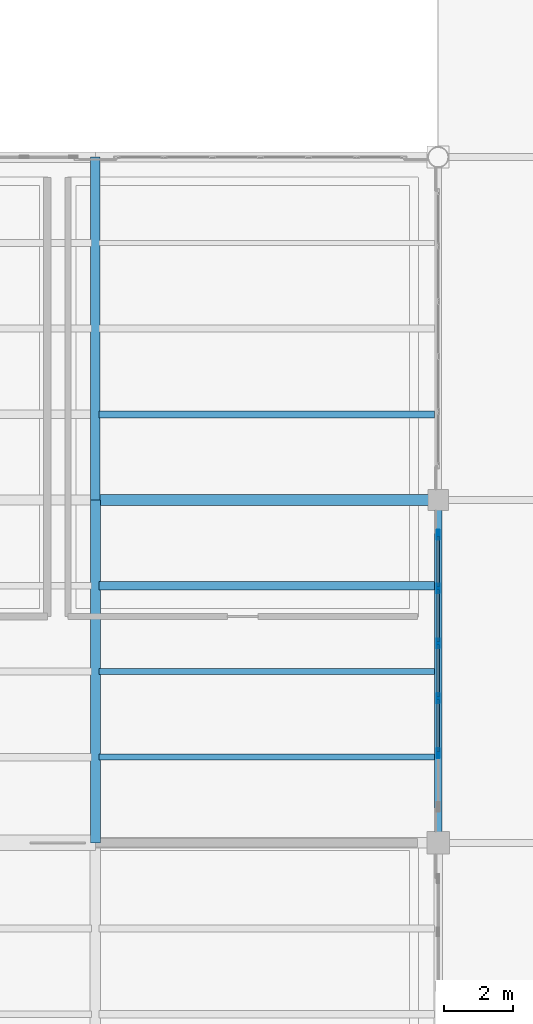
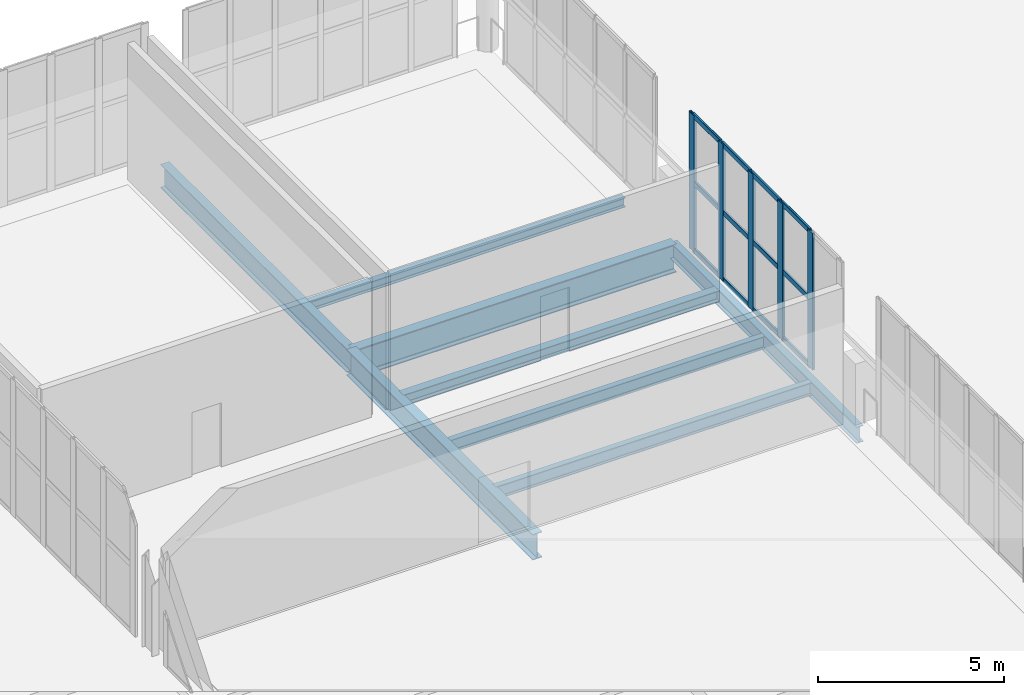
# One storey, part 80 of 136: 17 members, 8 beams, 1 element without a shape of its own.
"""IFC4 building model written with IfcOpenShell, lengths in metres."""

from ifc_helpers import new_model, si_unit, direction, frame, origin, origin_2d, place, context, subcontext, project, spatial, hollow_rectangle, i_section, extrude, material, layer, layer_set, material_profile, profile_set, type_object, element, aggregate, save


model = new_model("IFC4")

# Units and contexts
model_context = context("Model", 3, precision=1e-05, world=origin(), true_north=direction((0.0, 1.0)))
body_context = subcontext(model_context, "Body", "Model", "MODEL_VIEW")
ifc_project = project(units=[si_unit("LENGTHUNIT", "METRE"), si_unit("AREAUNIT", "SQUARE_METRE"), si_unit("VOLUMEUNIT", "CUBIC_METRE"), si_unit("PLANEANGLEUNIT", "RADIAN"), si_unit("MASSUNIT", "GRAM", prefix="KILO")], contexts=[model_context])

# Site, building, storey
site_placement = place(None, origin())
site = spatial("IfcSite", under=ifc_project, at=site_placement, CompositionType="ELEMENT")
building_placement = place(site_placement, origin())
building = spatial("IfcBuilding", under=site, at=building_placement, Name="Brinegate Civic Arena", CompositionType="ELEMENT")
storey_placement = place(building_placement, frame((0.0, 0.0, 5.39990234375)))
storey = spatial("IfcBuildingStorey", under=building, at=storey_placement, Name="L01", CompositionType="ELEMENT", Elevation=5.39990234375)

# Curtain wall, members
ifc_material_1 = material(Name="Marine grade aluminium", Category="aluminium")
ifc_layer = layer(ifc_material_1, 0.18505859375, Name="Marine grade aluminium")
ifc_layer_set = layer_set([ifc_layer], Name="Marine grade aluminium")
curtain_wall_type = type_object("IfcCurtainWallType", Name="CW-WING-GLAZED-03", PredefinedType="USERDEFINED", material=ifc_layer_set)
curtain_wall_placement = place(storey_placement, origin())
curtain_wall = element("IfcCurtainWall", 1, at=curtain_wall_placement, inside=storey, type_object=curtain_wall_type, Name="Curtain Wall CWA-037", ObjectType="GLAZED CURTAIN WALL", PredefinedType="USERDEFINED")
ifc_material_profile_1 = material_profile(ifc_material_1, hollow_rectangle(XDim=0.080078125, YDim=0.280029296875, WallThickness=0.007080078125, InnerFilletRadius=0.0048828125, OuterFilletRadius=0.010009765625, at=origin_2d()), Name="MUL80X280")
ifc_profile_set_1 = profile_set([ifc_material_profile_1], Name="Marine grade aluminium")
member_type_1 = type_object("IfcMemberType", Name="CW-MULLION-80X280", PredefinedType="MULLION", material=ifc_profile_set_1)
member_1_placement = place(storey_placement, frame((190.0, 64.61328125, 0.0), z_axis=(0.0, 0.0, 1.0), x_axis=(-1.0, 0.0, 0.0)))
member_1 = element("IfcMember", 2, at=member_1_placement, type_object=member_type_1, Name="CWA-037 mullion 2", PredefinedType="MULLION", context=body_context, shape_type="SweptSolid", body=[
    extrude(hollow_rectangle(XDim=0.080078125, YDim=0.280029296875, WallThickness=0.007080078125, InnerFilletRadius=0.0048828125, OuterFilletRadius=0.010009765625, at=origin_2d()), origin(), (0.0, 0.0, 1.0), 4.47021484375),
])
member_2_placement = place(storey_placement, frame((190.0, 66.21630859375, 0.0), z_axis=(0.0, 0.0, 1.0), x_axis=(-1.0, 0.0, 0.0)))
member_2 = element("IfcMember", 3, at=member_2_placement, type_object=member_type_1, Name="CWA-037 mullion 3", PredefinedType="MULLION", context=body_context, shape_type="SweptSolid", body=[
    extrude(hollow_rectangle(XDim=0.080078125, YDim=0.280029296875, WallThickness=0.007080078125, InnerFilletRadius=0.0048828125, OuterFilletRadius=0.010009765625, at=origin_2d()), origin(), (0.0, 0.0, 1.0), 4.47021484375),
])
member_3_placement = place(storey_placement, frame((190.0, 67.819580078125, 0.0), z_axis=(0.0, 0.0, 1.0), x_axis=(-1.0, 0.0, 0.0)))
member_3 = element("IfcMember", 4, at=member_3_placement, type_object=member_type_1, Name="CWA-037 mullion 4", PredefinedType="MULLION", context=body_context, shape_type="SweptSolid", body=[
    extrude(hollow_rectangle(XDim=0.080078125, YDim=0.280029296875, WallThickness=0.007080078125, InnerFilletRadius=0.0048828125, OuterFilletRadius=0.010009765625, at=origin_2d()), origin(), (0.0, 0.0, 1.0), 4.47021484375),
])
member_4_placement = place(storey_placement, frame((190.0, 69.4228515625, 0.0), z_axis=(0.0, 0.0, 1.0), x_axis=(-1.0, 0.0, 0.0)))
member_4 = element("IfcMember", 5, at=member_4_placement, type_object=member_type_1, Name="CWA-037 mullion 5", PredefinedType="MULLION", context=body_context, shape_type="SweptSolid", body=[
    extrude(hollow_rectangle(XDim=0.080078125, YDim=0.280029296875, WallThickness=0.007080078125, InnerFilletRadius=0.0048828125, OuterFilletRadius=0.010009765625, at=origin_2d()), origin(), (0.0, 0.0, 1.0), 4.47021484375),
])
member_5_placement = place(storey_placement, frame((190.0, 70.986083984375, 0.0), z_axis=(0.0, 0.0, 1.0), x_axis=(-1.0, 0.0, 0.0)))
member_5 = element("IfcMember", 6, at=member_5_placement, type_object=member_type_1, Name="CWA-037 mullion 6", PredefinedType="MULLION", context=body_context, shape_type="SweptSolid", body=[
    extrude(hollow_rectangle(XDim=0.080078125, YDim=0.280029296875, WallThickness=0.007080078125, InnerFilletRadius=0.0048828125, OuterFilletRadius=0.010009765625, at=origin_2d()), origin(), (0.0, 0.0, 1.0), 4.47021484375),
])
ifc_material_profile_2 = material_profile(ifc_material_1, hollow_rectangle(XDim=0.06494140625, YDim=0.1650390625, WallThickness=0.0048828125, InnerFilletRadius=0.00390625, OuterFilletRadius=0.008056640625, at=origin_2d()), Name="TRN65X165")
ifc_profile_set_2 = profile_set([ifc_material_profile_2], Name="Marine grade aluminium")
member_type_2 = type_object("IfcMemberType", Name="CW-TRANSOM-65X165", PredefinedType="USERDEFINED", material=ifc_profile_set_2)
member_6_placement = place(storey_placement, frame((190.0, 64.6533203125, 0.03271484375), z_axis=(0.0, 1.0, 0.0), x_axis=(-1.0, 0.0, 0.0)))
member_6 = element("IfcMember", 7, at=member_6_placement, type_object=member_type_2, Name="CWA-037 transom 2.1", ObjectType="TRANSOM", PredefinedType="USERDEFINED", context=body_context, shape_type="SweptSolid", body=[
    extrude(hollow_rectangle(XDim=0.06494140625, YDim=0.1650390625, WallThickness=0.0048828125, InnerFilletRadius=0.00390625, OuterFilletRadius=0.008056640625, at=origin_2d()), origin(), (0.0, 0.0, 1.0), 1.523193359375),
])
member_7_placement = place(storey_placement, frame((190.0, 64.6533203125, 2.235107421875), z_axis=(0.0, 1.0, 0.0), x_axis=(-1.0, 0.0, 0.0)))
member_7 = element("IfcMember", 8, at=member_7_placement, type_object=member_type_2, Name="CWA-037 transom 2.2", ObjectType="TRANSOM", PredefinedType="USERDEFINED", context=body_context, shape_type="SweptSolid", body=[
    extrude(hollow_rectangle(XDim=0.06494140625, YDim=0.1650390625, WallThickness=0.0048828125, InnerFilletRadius=0.00390625, OuterFilletRadius=0.008056640625, at=origin_2d()), origin(), (0.0, 0.0, 1.0), 1.523193359375),
])
member_8_placement = place(storey_placement, frame((190.0, 64.6533203125, 4.4375), z_axis=(0.0, 1.0, 0.0), x_axis=(-1.0, 0.0, 0.0)))
member_8 = element("IfcMember", 9, at=member_8_placement, type_object=member_type_2, Name="CWA-037 transom 2.3", ObjectType="TRANSOM", PredefinedType="USERDEFINED", context=body_context, shape_type="SweptSolid", body=[
    extrude(hollow_rectangle(XDim=0.06494140625, YDim=0.1650390625, WallThickness=0.0048828125, InnerFilletRadius=0.00390625, OuterFilletRadius=0.008056640625, at=origin_2d()), origin(), (0.0, 0.0, 1.0), 1.523193359375),
])
member_9_placement = place(storey_placement, frame((190.0, 66.25634765625, 0.03271484375), z_axis=(0.0, 1.0, 0.0), x_axis=(-1.0, 0.0, 0.0)))
member_9 = element("IfcMember", 10, at=member_9_placement, type_object=member_type_2, Name="CWA-037 transom 3.1", ObjectType="TRANSOM", PredefinedType="USERDEFINED", context=body_context, shape_type="SweptSolid", body=[
    extrude(hollow_rectangle(XDim=0.06494140625, YDim=0.1650390625, WallThickness=0.0048828125, InnerFilletRadius=0.00390625, OuterFilletRadius=0.008056640625, at=origin_2d()), origin(), (0.0, 0.0, 1.0), 1.523193359375),
])
member_10_placement = place(storey_placement, frame((190.0, 66.25634765625, 2.235107421875), z_axis=(0.0, 1.0, 0.0), x_axis=(-1.0, 0.0, 0.0)))
member_10 = element("IfcMember", 11, at=member_10_placement, type_object=member_type_2, Name="CWA-037 transom 3.2", ObjectType="TRANSOM", PredefinedType="USERDEFINED", context=body_context, shape_type="SweptSolid", body=[
    extrude(hollow_rectangle(XDim=0.06494140625, YDim=0.1650390625, WallThickness=0.0048828125, InnerFilletRadius=0.00390625, OuterFilletRadius=0.008056640625, at=origin_2d()), origin(), (0.0, 0.0, 1.0), 1.523193359375),
])
member_11_placement = place(storey_placement, frame((190.0, 66.25634765625, 4.4375), z_axis=(0.0, 1.0, 0.0), x_axis=(-1.0, 0.0, 0.0)))
member_11 = element("IfcMember", 12, at=member_11_placement, type_object=member_type_2, Name="CWA-037 transom 3.3", ObjectType="TRANSOM", PredefinedType="USERDEFINED", context=body_context, shape_type="SweptSolid", body=[
    extrude(hollow_rectangle(XDim=0.06494140625, YDim=0.1650390625, WallThickness=0.0048828125, InnerFilletRadius=0.00390625, OuterFilletRadius=0.008056640625, at=origin_2d()), origin(), (0.0, 0.0, 1.0), 1.523193359375),
])
member_12_placement = place(storey_placement, frame((190.0, 67.859619140625, 0.03271484375), z_axis=(0.0, 1.0, 0.0), x_axis=(-1.0, 0.0, 0.0)))
member_12 = element("IfcMember", 13, at=member_12_placement, type_object=member_type_2, Name="CWA-037 transom 4.1", ObjectType="TRANSOM", PredefinedType="USERDEFINED", context=body_context, shape_type="SweptSolid", body=[
    extrude(hollow_rectangle(XDim=0.06494140625, YDim=0.1650390625, WallThickness=0.0048828125, InnerFilletRadius=0.00390625, OuterFilletRadius=0.008056640625, at=origin_2d()), origin(), (0.0, 0.0, 1.0), 1.523193359375),
])
member_13_placement = place(storey_placement, frame((190.0, 67.859619140625, 2.235107421875), z_axis=(0.0, 1.0, 0.0), x_axis=(-1.0, 0.0, 0.0)))
member_13 = element("IfcMember", 14, at=member_13_placement, type_object=member_type_2, Name="CWA-037 transom 4.2", ObjectType="TRANSOM", PredefinedType="USERDEFINED", context=body_context, shape_type="SweptSolid", body=[
    extrude(hollow_rectangle(XDim=0.06494140625, YDim=0.1650390625, WallThickness=0.0048828125, InnerFilletRadius=0.00390625, OuterFilletRadius=0.008056640625, at=origin_2d()), origin(), (0.0, 0.0, 1.0), 1.523193359375),
])
member_14_placement = place(storey_placement, frame((190.0, 67.859619140625, 4.4375), z_axis=(0.0, 1.0, 0.0), x_axis=(-1.0, 0.0, 0.0)))
member_14 = element("IfcMember", 15, at=member_14_placement, type_object=member_type_2, Name="CWA-037 transom 4.3", ObjectType="TRANSOM", PredefinedType="USERDEFINED", context=body_context, shape_type="SweptSolid", body=[
    extrude(hollow_rectangle(XDim=0.06494140625, YDim=0.1650390625, WallThickness=0.0048828125, InnerFilletRadius=0.00390625, OuterFilletRadius=0.008056640625, at=origin_2d()), origin(), (0.0, 0.0, 1.0), 1.523193359375),
])
member_15_placement = place(storey_placement, frame((190.0, 69.462890625, 0.03271484375), z_axis=(0.0, 1.0, 0.0), x_axis=(-1.0, 0.0, 0.0)))
member_15 = element("IfcMember", 16, at=member_15_placement, type_object=member_type_2, Name="CWA-037 transom 5.1", ObjectType="TRANSOM", PredefinedType="USERDEFINED", context=body_context, shape_type="SweptSolid", body=[
    extrude(hollow_rectangle(XDim=0.06494140625, YDim=0.1650390625, WallThickness=0.0048828125, InnerFilletRadius=0.00390625, OuterFilletRadius=0.008056640625, at=origin_2d()), origin(), (0.0, 0.0, 1.0), 1.483154296875),
])
member_16_placement = place(storey_placement, frame((190.0, 69.462890625, 2.235107421875), z_axis=(0.0, 1.0, 0.0), x_axis=(-1.0, 0.0, 0.0)))
member_16 = element("IfcMember", 17, at=member_16_placement, type_object=member_type_2, Name="CWA-037 transom 5.2", ObjectType="TRANSOM", PredefinedType="USERDEFINED", context=body_context, shape_type="SweptSolid", body=[
    extrude(hollow_rectangle(XDim=0.06494140625, YDim=0.1650390625, WallThickness=0.0048828125, InnerFilletRadius=0.00390625, OuterFilletRadius=0.008056640625, at=origin_2d()), origin(), (0.0, 0.0, 1.0), 1.483154296875),
])
member_17_placement = place(storey_placement, frame((190.0, 69.462890625, 4.4375), z_axis=(0.0, 1.0, 0.0), x_axis=(-1.0, 0.0, 0.0)))
member_17 = element("IfcMember", 18, at=member_17_placement, type_object=member_type_2, Name="CWA-037 transom 5.3", ObjectType="TRANSOM", PredefinedType="USERDEFINED", context=body_context, shape_type="SweptSolid", body=[
    extrude(hollow_rectangle(XDim=0.06494140625, YDim=0.1650390625, WallThickness=0.0048828125, InnerFilletRadius=0.00390625, OuterFilletRadius=0.008056640625, at=origin_2d()), origin(), (0.0, 0.0, 1.0), 1.483154296875),
])
aggregate(curtain_wall, [member_1, member_2, member_3, member_4, member_5, member_6, member_7, member_8, member_9, member_10, member_11, member_12, member_13, member_14, member_15, member_16, member_17])

# Beams
ifc_material_2 = material(Name="Steel S355", Category="steel")
ifc_material_profile_3 = material_profile(ifc_material_2, i_section(OverallWidth=0.26806640625, OverallDepth=0.77001953125, WebThickness=0.01611328125, FlangeThickness=0.02490234375, FilletRadius=0.02001953125, at=origin_2d()), Name="W760X196")
ifc_profile_set_3 = profile_set([ifc_material_profile_3], Name="Steel S355")
beam_type_1 = type_object("IfcBeamType", Name="GIRDER-W760X196", PredefinedType="BEAM", material=ifc_profile_set_3)
beam_1_placement = place(storey_placement, frame((180.0, 72.0, -0.724853515625), z_axis=(0.0, 1.0, 0.0), x_axis=(-1.0, 0.0, 0.0)))
element("IfcBeam", 19, at=beam_1_placement, inside=storey, type_object=beam_type_1, Name="Floor Girder BM-L01-GY-15-07", PredefinedType="BEAM", context=body_context, shape_type="SweptSolid", body=[
    extrude(i_section(OverallWidth=0.26806640625, OverallDepth=0.77001953125, WebThickness=0.01611328125, FlangeThickness=0.02490234375, FilletRadius=0.02001953125, at=origin_2d()), origin(), (0.0, 0.0, 1.0), 10.0),
])
ifc_material_profile_4 = material_profile(ifc_material_2, i_section(OverallWidth=0.2939453125, OverallDepth=0.85107421875, WebThickness=0.01611328125, FlangeThickness=0.027099609375, FilletRadius=0.02197265625, at=origin_2d()), Name="W840X226")
ifc_profile_set_4 = profile_set([ifc_material_profile_4], Name="Steel S355")
beam_type_2 = type_object("IfcBeamType", Name="GIRDER-W840X226", PredefinedType="BEAM", material=ifc_profile_set_4)
beam_2_placement = place(storey_placement, frame((180.0, 62.0, -0.764892578125), z_axis=(0.0, 1.0, 0.0), x_axis=(-1.0, 0.0, 0.0)))
element("IfcBeam", 20, at=beam_2_placement, inside=storey, type_object=beam_type_2, Name="Floor Girder BM-L01-GY-15-06", PredefinedType="BEAM", context=body_context, shape_type="SweptSolid", body=[
    extrude(i_section(OverallWidth=0.2939453125, OverallDepth=0.85107421875, WebThickness=0.01611328125, FlangeThickness=0.027099609375, FilletRadius=0.02197265625, at=origin_2d()), origin(), (0.0, 0.0, 1.0), 10.0),
])
ifc_material_profile_5 = material_profile(ifc_material_2, i_section(OverallWidth=0.30810546875, OverallDepth=0.927001953125, WebThickness=0.01904296875, FlangeThickness=0.031982421875, FilletRadius=0.02392578125, at=origin_2d()), Name="W920X289")
ifc_profile_set_5 = profile_set([ifc_material_profile_5], Name="Steel S355")
beam_type_3 = type_object("IfcBeamType", Name="GIRDER-W920X289", PredefinedType="BEAM", material=ifc_profile_set_5)
beam_3_placement = place(storey_placement, frame((180.0, 72.0, -0.802978515625), z_axis=(1.0, 0.0, 0.0), x_axis=(0.0, 1.0, 0.0)))
element("IfcBeam", 21, at=beam_3_placement, inside=storey, type_object=beam_type_3, Name="Floor Girder BM-L01-GX-15-07", PredefinedType="BEAM", context=body_context, shape_type="SweptSolid", body=[
    extrude(i_section(OverallWidth=0.30810546875, OverallDepth=0.927001953125, WebThickness=0.01904296875, FlangeThickness=0.031982421875, FilletRadius=0.02392578125, at=origin_2d()), origin(), (0.0, 0.0, 1.0), 10.0),
])
ifc_material_profile_6 = material_profile(ifc_material_2, i_section(OverallWidth=0.202880859375, OverallDepth=0.302978515625, WebThickness=0.008056640625, FlangeThickness=0.012939453125, FilletRadius=0.012939453125, at=origin_2d()), Name="W310X60")
ifc_profile_set_6 = profile_set([ifc_material_profile_6], Name="Steel S355")
beam_type_4 = type_object("IfcBeamType", Name="JOIST-W310X60", PredefinedType="JOIST", material=ifc_profile_set_6)
beam_4_placement = place(storey_placement, frame((180.10595703125, 74.5, -0.490966796875), z_axis=(1.0, 0.0, 0.0), x_axis=(0.0, 1.0, 0.0)))
element("IfcBeam", 22, at=beam_4_placement, inside=storey, type_object=beam_type_4, Name="Secondary Joist BM-L01-JX-15-07-1", PredefinedType="JOIST", context=body_context, shape_type="SweptSolid", body=[
    extrude(i_section(OverallWidth=0.202880859375, OverallDepth=0.302978515625, WebThickness=0.008056640625, FlangeThickness=0.012939453125, FilletRadius=0.012939453125, at=origin_2d()), origin(), (0.0, 0.0, 1.0), 9.7880859375),
])
ifc_material_profile_7 = material_profile(ifc_material_2, i_section(OverallWidth=0.25390625, OverallDepth=0.35302734375, WebThickness=0.010009765625, FlangeThickness=0.01611328125, FilletRadius=0.013916015625, at=origin_2d()), Name="W360X91")
ifc_profile_set_7 = profile_set([ifc_material_profile_7], Name="Steel S355")
beam_type_5 = type_object("IfcBeamType", Name="JOIST-W360X91", PredefinedType="JOIST", material=ifc_profile_set_7)
beam_5_placement = place(storey_placement, frame((180.10595703125, 69.5, -0.515869140625), z_axis=(1.0, 0.0, 0.0), x_axis=(0.0, 1.0, 0.0)))
element("IfcBeam", 23, at=beam_5_placement, inside=storey, type_object=beam_type_5, Name="Secondary Joist BM-L01-JX-15-06-3", PredefinedType="JOIST", context=body_context, shape_type="SweptSolid", body=[
    extrude(i_section(OverallWidth=0.25390625, OverallDepth=0.35302734375, WebThickness=0.010009765625, FlangeThickness=0.01611328125, FilletRadius=0.013916015625, at=origin_2d()), origin(), (0.0, 0.0, 1.0), 9.7880859375),
])
ifc_material_profile_8 = material_profile(ifc_material_2, i_section(OverallWidth=0.178955078125, OverallDepth=0.409912109375, WebThickness=0.009033203125, FlangeThickness=0.013916015625, FilletRadius=0.013916015625, at=origin_2d()), Name="W410X67")
ifc_profile_set_8 = profile_set([ifc_material_profile_8], Name="Steel S355")
beam_type_6 = type_object("IfcBeamType", Name="JOIST-W410X67", PredefinedType="JOIST", material=ifc_profile_set_8)
beam_6_placement = place(storey_placement, frame((180.10595703125, 67.0, -0.544921875), z_axis=(1.0, 0.0, 0.0), x_axis=(0.0, 1.0, 0.0)))
element("IfcBeam", 24, at=beam_6_placement, inside=storey, type_object=beam_type_6, Name="Secondary Joist BM-L01-JX-15-06-2", PredefinedType="JOIST", context=body_context, shape_type="SweptSolid", body=[
    extrude(i_section(OverallWidth=0.178955078125, OverallDepth=0.409912109375, WebThickness=0.009033203125, FlangeThickness=0.013916015625, FilletRadius=0.013916015625, at=origin_2d()), origin(), (0.0, 0.0, 1.0), 9.7880859375),
])
ifc_material_profile_9 = material_profile(ifc_material_2, i_section(OverallWidth=0.180908203125, OverallDepth=0.4169921875, WebThickness=0.010986328125, FlangeThickness=0.01806640625, FilletRadius=0.013916015625, at=origin_2d()), Name="W410X85")
ifc_profile_set_9 = profile_set([ifc_material_profile_9], Name="Steel S355")
beam_type_7 = type_object("IfcBeamType", Name="JOIST-W410X85", PredefinedType="JOIST", material=ifc_profile_set_9)
beam_7_placement = place(storey_placement, frame((180.10595703125, 64.5, -0.5478515625), z_axis=(1.0, 0.0, 0.0), x_axis=(0.0, 1.0, 0.0)))
element("IfcBeam", 25, at=beam_7_placement, inside=storey, type_object=beam_type_7, Name="Secondary Joist BM-L01-JX-15-06-1", PredefinedType="JOIST", context=body_context, shape_type="SweptSolid", body=[
    extrude(i_section(OverallWidth=0.180908203125, OverallDepth=0.4169921875, WebThickness=0.010986328125, FlangeThickness=0.01806640625, FilletRadius=0.013916015625, at=origin_2d()), origin(), (0.0, 0.0, 1.0), 9.7880859375),
])
ifc_material_profile_10 = material_profile(ifc_material_2, i_section(OverallWidth=0.2119140625, OverallDepth=0.5439453125, WebThickness=0.012939453125, FlangeThickness=0.02099609375, FilletRadius=0.01611328125, at=origin_2d()), Name="W530X123")
ifc_profile_set_10 = profile_set([ifc_material_profile_10], Name="Steel S355")
beam_type_8 = type_object("IfcBeamType", Name="SPANDREL-W530X123", PredefinedType="SPANDREL", material=ifc_profile_set_10)
beam_8_placement = place(storey_placement, frame((190.0, 62.0, -0.61181640625), z_axis=(0.0, 1.0, 0.0), x_axis=(-1.0, 0.0, 0.0)))
element("IfcBeam", 26, at=beam_8_placement, inside=storey, type_object=beam_type_8, Name="Floor Girder BM-L01-GY-16-06", PredefinedType="SPANDREL", context=body_context, shape_type="SweptSolid", body=[
    extrude(i_section(OverallWidth=0.2119140625, OverallDepth=0.5439453125, WebThickness=0.012939453125, FlangeThickness=0.02099609375, FilletRadius=0.01611328125, at=origin_2d()), origin(), (0.0, 0.0, 1.0), 10.0),
])

save(model, "model.ifc")
